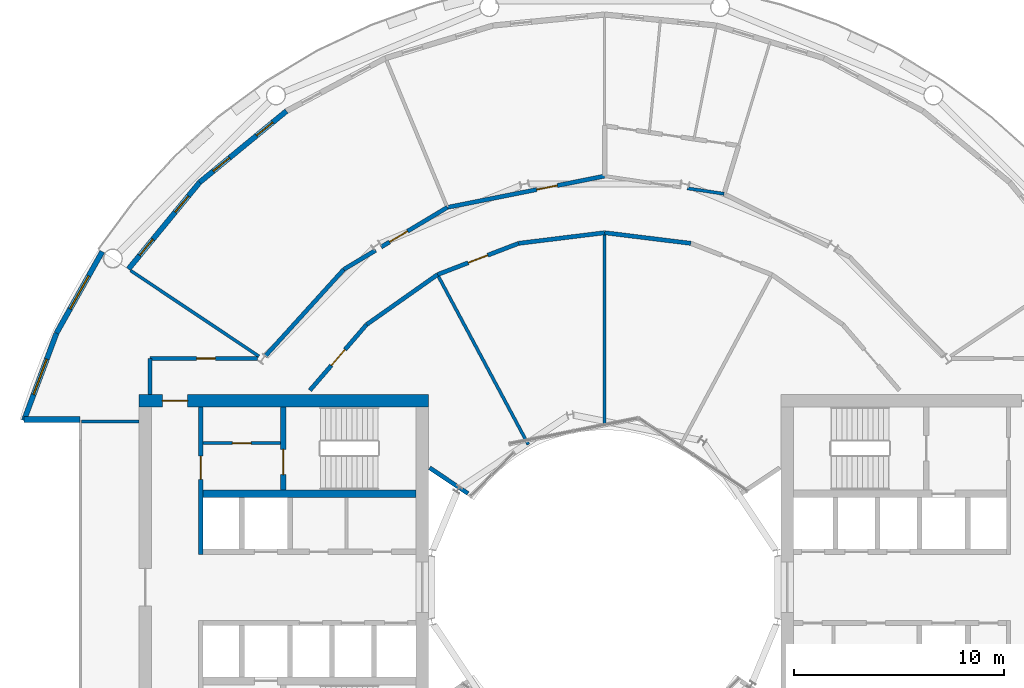
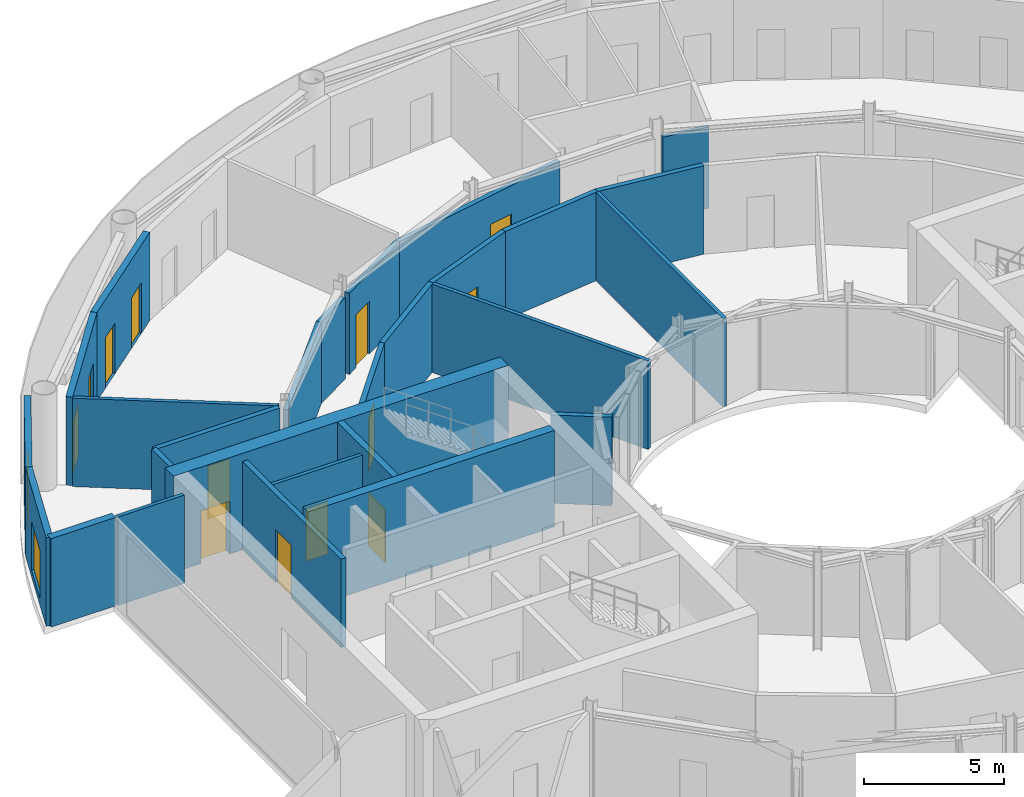
# One storey, part 16 of 21: 27 walls, 13 doors, 2 windows, 15 openings.
"""IFC4 building model written with IfcOpenShell, lengths in metres."""

from ifc_helpers import new_model, si_unit, direction, frame, frame_2d, origin, place, context, subcontext, project, spatial, rectangle, extrude, material, layer, layer_set, type_object, element, fill, save


model = new_model("IFC4")

# Units and contexts
model_context = context("Model", 3, precision=1e-05, world=origin(), true_north=direction((0.0, 1.0)))
body_context = subcontext(model_context, "Body", "Model", "MODEL_VIEW")
ifc_project = project(units=[si_unit("LENGTHUNIT", "METRE"), si_unit("AREAUNIT", "SQUARE_METRE"), si_unit("VOLUMEUNIT", "CUBIC_METRE"), si_unit("PLANEANGLEUNIT", "RADIAN"), si_unit("MASSUNIT", "GRAM", prefix="KILO")], contexts=[model_context])

# Site, building, storey
site_placement = place(None, origin())
site = spatial("IfcSite", under=ifc_project, at=site_placement, CompositionType="ELEMENT")
building_placement = place(site_placement, origin())
building = spatial("IfcBuilding", under=site, at=building_placement, Name="Maasbend Ring Residences", CompositionType="ELEMENT")
storey_placement = place(building_placement, frame((0.0, 0.0, 107.449951171875)))
storey = spatial("IfcBuildingStorey", under=building, at=storey_placement, Name="L30", CompositionType="ELEMENT", Elevation=107.449951171875)

# Wall, opening, door
ifc_material_1 = material(Name="Concrete C60/75", Category="concrete")
ifc_layer_1 = layer(ifc_material_1, 0.25)
ifc_layer_set_1 = layer_set([ifc_layer_1], Name="Concrete C60/75")
wall_type_1 = type_object("IfcWallType", Name="CORE WALL 250 C60/75", PredefinedType="SHEAR", material=ifc_layer_set_1)
wall_1_placement = place(storey_placement, frame((-15.324951171875, 8.60009765625, 0.0), z_axis=(0.0, 0.0, 1.0), x_axis=(0.0, -1.0, 0.0)))
wall_1 = element("IfcWall", 1, at=wall_1_placement, inside=storey, type_object=wall_type_1, Name="L30 core W wall STES", PredefinedType="SHEAR", context=body_context, shape_type="SweptSolid", body=[
    extrude(rectangle(XDim=3.9501953125, YDim=0.25, at=frame_2d((1.97509765625, 0.0))), origin(), (0.0, 0.0, 1.0), 4.199951171875),
])
opening_1_placement = place(wall_1_placement, frame((2.02490234375, 0.0, 0.0)))
opening_1 = element("IfcOpeningElement", 2, at=opening_1_placement, cuts=wall_1, Name="Opening D-W3010", PredefinedType="OPENING", context=body_context, shape_type="SweptSolid", body=[
    extrude(rectangle(XDim=1.199951171875, YDim=2.300048828125, at=frame_2d((0.60009765625, 1.14990234375))), frame((0.0, 0.135009765625, 0.0), z_axis=(0.0, -1.0, 0.0), x_axis=(1.0, 0.0, 0.0)), (0.0, 0.0, 1.0), 0.27001953125),
])
ifc_material_2 = material(Name="Steel, powder coated", Category="steel")
door_type_1 = type_object("IfcDoorType", Name="STAIR DOOR 1200 X 2300 FD60", OperationType="NOTDEFINED", PredefinedType="DOOR", material=ifc_material_2)
door_1_placement = place(opening_1_placement, origin())
door_1 = element("IfcDoor", 3, at=door_1_placement, inside=storey, type_object=door_type_1, Name="Stair door ST-W L30", OperationType="SINGLE_SWING_LEFT", OverallHeight=2.300048828125, OverallWidth=1.199951171875, PredefinedType="DOOR", context=body_context, shape_type="SweptSolid", body=[
    extrude(rectangle(XDim=1.199951171875, YDim=2.300048828125, at=frame_2d((0.60009765625, 1.14990234375))), frame((0.0, 0.02490234375, 0.0), z_axis=(0.0, -1.0, 0.0), x_axis=(1.0, 0.0, 0.0)), (0.0, 0.0, 1.0), 0.050048828125),
])
fill(opening_1, door_1)

# Wall
ifc_material_3 = material(Name="Concrete C60/75", Category="concrete")
ifc_layer_2 = layer(ifc_material_3, 0.375)
ifc_layer_set_2 = layer_set([ifc_layer_2], Name="Concrete C60/75")
wall_type_2 = type_object("IfcWallType", Name="CORE WALL 375 C60/75", PredefinedType="SHEAR", material=ifc_layer_set_2)
wall_2_placement = place(storey_placement, frame((-9.0, 4.46240234375, 0.0), z_axis=(0.0, 0.0, 1.0), x_axis=(-1.0, 0.0, 0.0)))
element("IfcWall", 4, at=wall_2_placement, inside=storey, type_object=wall_type_2, Name="L30 core W wall BS", PredefinedType="SHEAR", context=body_context, shape_type="SweptSolid", body=[
    extrude(rectangle(XDim=10.14990234375, YDim=0.375, at=frame_2d((5.074951171875, 0.0))), origin(), (0.0, 0.0, 1.0), 4.199951171875),
])

# Wall, opening, door
ifc_material_4 = material(Name="Concrete C60/75", Category="concrete")
ifc_layer_3 = layer(ifc_material_4, 0.60009765625)
ifc_layer_set_3 = layer_set([ifc_layer_3], Name="Concrete C60/75")
wall_type_3 = type_object("IfcWallType", Name="CORE WALL 600 C60/75", PredefinedType="SHEAR", material=ifc_layer_set_3)
wall_3_placement = place(storey_placement, frame((-8.39990234375, 8.89990234375, 0.0), z_axis=(0.0, 0.0, 1.0), x_axis=(-1.0, 0.0, 0.0)))
wall_3 = element("IfcWall", 5, at=wall_3_placement, inside=storey, type_object=wall_type_3, Name="L30 core W wall PS", PredefinedType="SHEAR", context=body_context, shape_type="SweptSolid", body=[
    extrude(rectangle(XDim=13.800048828125, YDim=0.60009765625, at=frame_2d((6.89990234375, 0.0))), origin(), (0.0, 0.0, 1.0), 4.199951171875),
])
opening_2_placement = place(wall_3_placement, frame((11.47509765625, 0.0, 0.0)))
opening_2 = element("IfcOpeningElement", 6, at=opening_2_placement, cuts=wall_3, Name="Opening D-W3014", PredefinedType="OPENING", context=body_context, shape_type="SweptSolid", body=[
    extrude(rectangle(XDim=1.199951171875, YDim=2.300048828125, at=frame_2d((0.60009765625, 1.14990234375))), frame((0.0, 0.31005859375, 0.0), z_axis=(0.0, -1.0, 0.0), x_axis=(1.0, 0.0, 0.0)), (0.0, 0.0, 1.0), 0.6201171875),
])
ifc_material_5 = material(Name="Steel, powder coated", Category="steel")
door_type_2 = type_object("IfcDoorType", Name="CORRIDOR DOOR 1200 X 2300 FD30S", OperationType="NOTDEFINED", PredefinedType="DOOR", material=ifc_material_5)
door_2_placement = place(opening_2_placement, origin())
door_2 = element("IfcDoor", 7, at=door_2_placement, inside=storey, type_object=door_type_2, Name="Corridor door L30", OperationType="SINGLE_SWING_LEFT", OverallHeight=2.300048828125, OverallWidth=1.199951171875, PredefinedType="DOOR", context=body_context, shape_type="SweptSolid", body=[
    extrude(rectangle(XDim=1.199951171875, YDim=2.300048828125, at=frame_2d((0.60009765625, 1.14990234375))), frame((0.0, 0.02490234375, 0.0), z_axis=(0.0, -1.0, 0.0), x_axis=(1.0, 0.0, 0.0)), (0.0, 0.0, 1.0), 0.050048828125),
])
fill(opening_2, door_2)

ifc_material_6 = material(Name="Concrete C30/37", Category="concrete")
ifc_layer_4 = layer(ifc_material_6, 0.199951171875)
ifc_layer_set_4 = layer_set([ifc_layer_4], Name="Concrete C30/37")
wall_type_4 = type_object("IfcWallType", Name="CORRIDOR WALL 200 CONCRETE", PredefinedType="PARTITIONING", material=ifc_layer_set_4)
wall_4_placement = place(storey_placement, frame((-21.675048828125, 10.89990234375, 0.0), z_axis=(0.0, 0.0, 1.0), x_axis=(0.999997173357, 0.002377662213, 0.0)))
wall_4 = element("IfcWall", 8, at=wall_4_placement, inside=storey, type_object=wall_type_4, Name="U-L30-w048", PredefinedType="PARTITIONING", context=body_context, shape_type="SweptSolid", body=[
    extrude(rectangle(XDim=5.134033203125, YDim=0.199951171875, at=frame_2d((2.56689453125, 0.0))), origin(), (0.0, 0.0, 1.0), 3.85009765625),
])
opening_3_placement = place(wall_4_placement, frame((2.220947265625, 0.0, 0.0)))
opening_3 = element("IfcOpeningElement", 9, at=opening_3_placement, cuts=wall_4, Name="Opening D-3024", PredefinedType="OPENING", context=body_context, shape_type="SweptSolid", body=[
    extrude(rectangle(XDim=0.89990234375, YDim=2.300048828125, at=frame_2d((0.449951171875, 1.14990234375))), frame((0.0, 0.10986328125, 0.0), z_axis=(0.0, -1.0, 0.0), x_axis=(1.0, 0.0, 0.0)), (0.0, 0.0, 1.0), 0.219970703125),
])
ifc_material_7 = material(Name="Steel, fire-rated, painted", Category="steel")
door_type_3 = type_object("IfcDoorType", Name="SERVICE DOOR 900 X 2300 FIRE-RATED", OperationType="NOTDEFINED", PredefinedType="DOOR", material=ifc_material_7)
door_3_placement = place(opening_3_placement, origin())
door_3 = element("IfcDoor", 10, at=door_3_placement, inside=storey, type_object=door_type_3, Name="D-3024", OperationType="SINGLE_SWING_RIGHT", OverallHeight=2.300048828125, OverallWidth=0.89990234375, PredefinedType="DOOR", context=body_context, shape_type="SweptSolid", body=[
    extrude(rectangle(XDim=0.89990234375, YDim=2.300048828125, at=frame_2d((0.449951171875, 1.14990234375))), frame((0.0, 0.02490234375, 0.0), z_axis=(0.0, -1.0, 0.0), x_axis=(1.0, 0.0, 0.0)), (0.0, 0.0, 1.0), 0.050048828125),
])
fill(opening_3, door_3)

wall_5_placement = place(storey_placement, frame((-14.052001953125, 9.388916015625, 0.0), z_axis=(0.0, 0.0, 1.0), x_axis=(0.653212695939, 0.757174467256, 0.0)))
wall_5 = element("IfcWall", 11, at=wall_5_placement, inside=storey, type_object=wall_type_4, Name="U-L30-w050", PredefinedType="PARTITIONING", context=body_context, shape_type="SweptSolid", body=[
    extrude(rectangle(XDim=4.137939453125, YDim=0.199951171875, at=frame_2d((2.06884765625, 0.0))), origin(), (0.0, 0.0, 1.0), 3.85009765625),
])
opening_4_placement = place(wall_5_placement, frame((1.569091796875, 0.0, 0.0)))
opening_4 = element("IfcOpeningElement", 12, at=opening_4_placement, cuts=wall_5, Name="Opening D-3015", PredefinedType="OPENING", context=body_context, shape_type="SweptSolid", body=[
    extrude(rectangle(XDim=1.0, YDim=2.300048828125, at=frame_2d((0.5, 1.14990234375))), frame((0.0, 0.10986328125, 0.0), z_axis=(0.0, -1.0, 0.0), x_axis=(1.0, 0.0, 0.0)), (0.0, 0.0, 1.0), 0.219970703125),
])
ifc_material_8 = material(Name="Timber, painted", Category="wood")
door_type_4 = type_object("IfcDoorType", Name="ROOM DOOR 1000 X 2300", OperationType="NOTDEFINED", PredefinedType="DOOR", material=ifc_material_8)
door_4_placement = place(opening_4_placement, origin())
door_4 = element("IfcDoor", 13, at=door_4_placement, inside=storey, type_object=door_type_4, Name="D-3015", OperationType="SINGLE_SWING_RIGHT", OverallHeight=2.300048828125, OverallWidth=1.0, PredefinedType="DOOR", context=body_context, shape_type="SweptSolid", body=[
    extrude(rectangle(XDim=1.0, YDim=2.300048828125, at=frame_2d((0.5, 1.14990234375))), frame((0.0, 0.02490234375, 0.0), z_axis=(0.0, -1.0, 0.0), x_axis=(1.0, 0.0, 0.0)), (0.0, 0.0, 1.0), 0.050048828125),
])
fill(opening_4, door_4)

# Wall
wall_6_placement = place(storey_placement, frame((-11.34912109375, 12.52197265625, 0.0), z_axis=(0.0, 0.0, 1.0), x_axis=(0.817567680547, 0.575832517079, 0.0)))
element("IfcWall", 14, at=wall_6_placement, inside=storey, type_object=wall_type_4, Name="U-L30-w051", PredefinedType="PARTITIONING", context=body_context, shape_type="SweptSolid", body=[
    extrude(rectangle(XDim=4.13671875, YDim=0.199951171875, at=frame_2d((2.068359375, 0.0))), origin(), (0.0, 0.0, 1.0), 3.85009765625),
])

# Wall, opening, door
wall_7_placement = place(storey_placement, frame((-7.967041015625, 14.904052734375, 0.0), z_axis=(0.0, 0.0, 1.0), x_axis=(0.932943640288, 0.360022449363, 0.0)))
wall_7 = element("IfcWall", 15, at=wall_7_placement, inside=storey, type_object=wall_type_4, Name="U-L30-w052", PredefinedType="PARTITIONING", context=body_context, shape_type="SweptSolid", body=[
    extrude(rectangle(XDim=4.138671875, YDim=0.199951171875, at=frame_2d((2.0693359375, 0.0))), origin(), (0.0, 0.0, 1.0), 3.85009765625),
])
opening_5_placement = place(wall_7_placement, frame((1.569091796875, 0.0, 0.0)))
opening_5 = element("IfcOpeningElement", 16, at=opening_5_placement, cuts=wall_7, Name="Opening D-3014", PredefinedType="OPENING", context=body_context, shape_type="SweptSolid", body=[
    extrude(rectangle(XDim=1.0, YDim=2.300048828125, at=frame_2d((0.5, 1.14990234375))), frame((0.0, 0.10986328125, 0.0), z_axis=(0.0, -1.0, 0.0), x_axis=(1.0, 0.0, 0.0)), (0.0, 0.0, 1.0), 0.219970703125),
])
door_5_placement = place(opening_5_placement, origin())
door_5 = element("IfcDoor", 17, at=door_5_placement, inside=storey, type_object=door_type_4, Name="D-3014", OperationType="SINGLE_SWING_RIGHT", OverallHeight=2.300048828125, OverallWidth=1.0, PredefinedType="DOOR", context=body_context, shape_type="SweptSolid", body=[
    extrude(rectangle(XDim=1.0, YDim=2.300048828125, at=frame_2d((0.5, 1.14990234375))), frame((0.0, 0.02490234375, 0.0), z_axis=(0.0, -1.0, 0.0), x_axis=(1.0, 0.0, 0.0)), (0.0, 0.0, 1.0), 0.050048828125),
])
fill(opening_5, door_5)

# Walls
for number, where, z_axis, x_axis, name in (
    (18, (-4.10595703125, 16.39404296875, 0.0), (0.0, 0.0, 1.0), (0.992496033272, 0.122276833211, 0.0), "U-L30-w053"),
    (19, (0.0, 16.89990234375, 0.0), (0.0, 0.0, 1.0), (0.992496033272, -0.122276833211, 0.0), "U-L30-w054"),
):
    element("IfcWall", number, at=place(storey_placement, frame(where, z_axis=z_axis, x_axis=x_axis)), inside=storey, type_object=wall_type_4, Name=name, PredefinedType="PARTITIONING", context=body_context, shape_type="SweptSolid", body=[
        extrude(rectangle(XDim=4.136962890625, YDim=0.199951171875, at=frame_2d((2.068359375, 0.0))), origin(), (0.0, 0.0, 1.0), 3.85009765625),
    ])

# Wall, opening, door
wall_8_placement = place(storey_placement, frame((-7.5009765625, 18.10791015625, 0.0), z_axis=(0.0, 0.0, 1.0), x_axis=(0.980781515054, 0.195109250749, 0.0)))
wall_8 = element("IfcWall", 20, at=wall_8_placement, inside=storey, type_object=wall_type_4, Name="U-L30-w058", PredefinedType="PARTITIONING", context=body_context, shape_type="SweptSolid", body=[
    extrude(rectangle(XDim=7.64794921875, YDim=0.199951171875, at=frame_2d((3.823974609375, 0.0))), origin(), (0.0, 0.0, 1.0), 3.5400390625),
])
opening_6_placement = place(wall_8_placement, frame((4.35009765625, 0.0, 0.0)))
opening_6 = element("IfcOpeningElement", 21, at=opening_6_placement, cuts=wall_8, Name="Opening D-3010", PredefinedType="OPENING", context=body_context, shape_type="SweptSolid", body=[
    extrude(rectangle(XDim=1.0, YDim=2.300048828125, at=frame_2d((0.5, 1.14990234375))), frame((0.0, 0.10986328125, 0.0), z_axis=(0.0, -1.0, 0.0), x_axis=(1.0, 0.0, 0.0)), (0.0, 0.0, 1.0), 0.219970703125),
])
door_6_placement = place(opening_6_placement, origin())
door_6 = element("IfcDoor", 22, at=door_6_placement, inside=storey, type_object=door_type_4, Name="D-3010", OperationType="SINGLE_SWING_RIGHT", OverallHeight=2.300048828125, OverallWidth=1.0, PredefinedType="DOOR", context=body_context, shape_type="SweptSolid", body=[
    extrude(rectangle(XDim=1.0, YDim=2.300048828125, at=frame_2d((0.5, 1.14990234375))), frame((0.0, 0.02490234375, 0.0), z_axis=(0.0, -1.0, 0.0), x_axis=(1.0, 0.0, 0.0)), (0.0, 0.0, 1.0), 0.050048828125),
])
fill(opening_6, door_6)

# Walls
wall_9_placement = place(storey_placement, frame((-16.19189453125, 11.00390625, 0.0), z_axis=(0.0, 0.0, 1.0), x_axis=(0.671481997275, 0.741020868354, 0.0)))
element("IfcWall", 23, at=wall_9_placement, inside=storey, type_object=wall_type_4, Name="U-L30-w062", PredefinedType="PARTITIONING", context=body_context, shape_type="SweptSolid", body=[
    extrude(rectangle(XDim=5.59619140625, YDim=0.199951171875, at=frame_2d((2.798095703125, 0.0))), origin(), (0.0, 0.0, 1.0), 3.5400390625),
])
wall_10_placement = place(storey_placement, frame((-12.43408203125, 15.15087890625, 0.0), z_axis=(0.0, 0.0, 1.0), x_axis=(0.857663265693, 0.514211748875, 0.0)))
element("IfcWall", 24, at=wall_10_placement, inside=storey, type_object=wall_type_4, Name="U-L30-w063", PredefinedType="PARTITIONING", context=body_context, shape_type="SweptSolid", body=[
    extrude(rectangle(XDim=1.77001953125, YDim=0.199951171875, at=frame_2d((0.885009765625, 0.0))), origin(), (0.0, 0.0, 1.0), 3.5400390625),
])

# Wall, opening, door
wall_11_placement = place(storey_placement, frame((-10.653076171875, 16.218994140625, 0.0), z_axis=(0.0, 0.0, 1.0), x_axis=(0.857774179698, 0.514026708103, 0.0)))
wall_11 = element("IfcWall", 25, at=wall_11_placement, inside=storey, type_object=wall_type_4, Name="U-L30-w064", PredefinedType="PARTITIONING", context=body_context, shape_type="SweptSolid", body=[
    extrude(rectangle(XDim=3.6748046875, YDim=0.199951171875, at=frame_2d((1.83740234375, 0.0))), origin(), (0.0, 0.0, 1.0), 3.5400390625),
])
opening_7_placement = place(wall_11_placement, frame((0.472900390625, 0.0, 0.0)))
opening_7 = element("IfcOpeningElement", 26, at=opening_7_placement, cuts=wall_11, Name="Opening D-3011", PredefinedType="OPENING", context=body_context, shape_type="SweptSolid", body=[
    extrude(rectangle(XDim=1.0, YDim=2.300048828125, at=frame_2d((0.5, 1.14990234375))), frame((0.0, 0.10986328125, 0.0), z_axis=(0.0, -1.0, 0.0), x_axis=(1.0, 0.0, 0.0)), (0.0, 0.0, 1.0), 0.219970703125),
])
door_7_placement = place(opening_7_placement, origin())
door_7 = element("IfcDoor", 27, at=door_7_placement, inside=storey, type_object=door_type_4, Name="D-3011", OperationType="SINGLE_SWING_LEFT", OverallHeight=2.300048828125, OverallWidth=1.0, PredefinedType="DOOR", context=body_context, shape_type="SweptSolid", body=[
    extrude(rectangle(XDim=1.0, YDim=2.300048828125, at=frame_2d((0.5, 1.14990234375))), frame((0.0, 0.02490234375, 0.0), z_axis=(0.0, -1.0, 0.0), x_axis=(1.0, 0.0, 0.0)), (0.0, 0.0, 1.0), 0.050048828125),
])
fill(opening_7, door_7)

# Wall
wall_12_placement = place(storey_placement, frame((-21.675048828125, 9.199951171875, 0.0), z_axis=(0.0, 0.0, 1.0), x_axis=(0.0, 1.0, 0.0)))
element("IfcWall", 28, at=wall_12_placement, inside=storey, type_object=wall_type_4, Name="U-L30-w068", PredefinedType="PARTITIONING", context=body_context, shape_type="SweptSolid", body=[
    extrude(rectangle(XDim=1.699951171875, YDim=0.199951171875, at=frame_2d((0.85009765625, 0.0))), origin(), (0.0, 0.0, 1.0), 3.85009765625),
])

# Wall, openings, doors
ifc_material_9 = material(Name="Aluminium clad insulated panel", Category="aluminium")
ifc_layer_5 = layer(ifc_material_9, 0.25)
ifc_layer_set_5 = layer_set([ifc_layer_5], Name="EW-GL")
wall_type_5 = type_object("IfcWallType", Name="EW-GL", PredefinedType="SOLIDWALL", material=ifc_layer_set_5)
wall_13_placement = place(storey_placement, frame((-15.1669921875, 22.698974609375, 0.0), z_axis=(0.0, 0.0, 1.0), x_axis=(-0.773019449054, -0.634382322723, 0.0)))
wall_13 = element("IfcWall", 29, at=wall_13_placement, inside=storey, type_object=wall_type_5, Name="External wall N09", PredefinedType="SOLIDWALL", context=body_context, shape_type="SweptSolid", body=[
    extrude(rectangle(XDim=5.351806640625, YDim=0.25, at=frame_2d((2.67578125, 0.0))), origin(), (0.0, 0.0, 1.0), 3.85009765625),
])
opening_8_placement = place(wall_13_placement, frame((0.841064453125, 0.0, 0.0)))
opening_8 = element("IfcOpeningElement", 30, at=opening_8_placement, cuts=wall_13, Name="Opening D-LG", PredefinedType="OPENING", context=body_context, shape_type="SweptSolid", body=[
    extrude(rectangle(XDim=1.0, YDim=2.199951171875, at=frame_2d((0.5, 1.10009765625))), frame((0.0, 0.135009765625, 0.0), z_axis=(0.0, -1.0, 0.0), x_axis=(1.0, 0.0, 0.0)), (0.0, 0.0, 1.0), 0.27001953125),
])
opening_9_placement = place(wall_13_placement, frame((3.510498046875, 0.0, 0.0)))
opening_9 = element("IfcOpeningElement", 31, at=opening_9_placement, cuts=wall_13, Name="Opening D-LG", PredefinedType="OPENING", context=body_context, shape_type="SweptSolid", body=[
    extrude(rectangle(XDim=1.0, YDim=2.199951171875, at=frame_2d((0.5, 1.10009765625))), frame((0.0, 0.135009765625, 0.0), z_axis=(0.0, -1.0, 0.0), x_axis=(1.0, 0.0, 0.0)), (0.0, 0.0, 1.0), 0.27001953125),
])
ifc_material_10 = material(Name="Aluminium and clear glass", Category="aluminium")
door_type_5 = type_object("IfcDoorType", Name="D-LG", OperationType="SINGLE_SWING_LEFT", PredefinedType="DOOR", material=ifc_material_10)
door_8_placement = place(opening_8_placement, origin())
door_8 = element("IfcDoor", 32, at=door_8_placement, inside=storey, type_object=door_type_5, Name="Loggia door N17", OperationType="SINGLE_SWING_LEFT", OverallHeight=2.199951171875, OverallWidth=1.0, PredefinedType="DOOR", context=body_context, shape_type="SweptSolid", body=[
    extrude(rectangle(XDim=1.0, YDim=2.199951171875, at=frame_2d((0.5, 1.10009765625))), frame((0.0, 0.02490234375, 0.0), z_axis=(0.0, -1.0, 0.0), x_axis=(1.0, 0.0, 0.0)), (0.0, 0.0, 1.0), 0.050048828125),
])
fill(opening_8, door_8)
door_9_placement = place(opening_9_placement, origin())
door_9 = element("IfcDoor", 33, at=door_9_placement, inside=storey, type_object=door_type_5, Name="Loggia door N18", OperationType="SINGLE_SWING_LEFT", OverallHeight=2.199951171875, OverallWidth=1.0, PredefinedType="DOOR", context=body_context, shape_type="SweptSolid", body=[
    extrude(rectangle(XDim=1.0, YDim=2.199951171875, at=frame_2d((0.5, 1.10009765625))), frame((0.0, 0.02490234375, 0.0), z_axis=(0.0, -1.0, 0.0), x_axis=(1.0, 0.0, 0.0)), (0.0, 0.0, 1.0), 0.050048828125),
])
fill(opening_9, door_9)

wall_14_placement = place(storey_placement, frame((-19.303955078125, 19.303955078125, 0.0), z_axis=(0.0, 0.0, 1.0), x_axis=(-0.634382322723, -0.773019449054, 0.0)))
wall_14 = element("IfcWall", 34, at=wall_14_placement, inside=storey, type_object=wall_type_5, Name="External wall N10", PredefinedType="SOLIDWALL", context=body_context, shape_type="SweptSolid", body=[
    extrude(rectangle(XDim=5.351806640625, YDim=0.25, at=frame_2d((2.67578125, 0.0))), origin(), (0.0, 0.0, 1.0), 3.85009765625),
])
opening_10_placement = place(wall_14_placement, frame((0.841064453125, 0.0, 0.0)))
opening_10 = element("IfcOpeningElement", 35, at=opening_10_placement, cuts=wall_14, Name="Opening D-LG", PredefinedType="OPENING", context=body_context, shape_type="SweptSolid", body=[
    extrude(rectangle(XDim=1.0, YDim=2.199951171875, at=frame_2d((0.5, 1.10009765625))), frame((0.0, 0.135009765625, 0.0), z_axis=(0.0, -1.0, 0.0), x_axis=(1.0, 0.0, 0.0)), (0.0, 0.0, 1.0), 0.27001953125),
])
opening_11_placement = place(wall_14_placement, frame((3.510498046875, 0.0, 0.0)))
opening_11 = element("IfcOpeningElement", 36, at=opening_11_placement, cuts=wall_14, Name="Opening D-LG", PredefinedType="OPENING", context=body_context, shape_type="SweptSolid", body=[
    extrude(rectangle(XDim=1.0, YDim=2.199951171875, at=frame_2d((0.5, 1.10009765625))), frame((0.0, 0.135009765625, 0.0), z_axis=(0.0, -1.0, 0.0), x_axis=(1.0, 0.0, 0.0)), (0.0, 0.0, 1.0), 0.27001953125),
])
door_10_placement = place(opening_10_placement, origin())
door_10 = element("IfcDoor", 37, at=door_10_placement, inside=storey, type_object=door_type_5, Name="Loggia door N19", OperationType="SINGLE_SWING_LEFT", OverallHeight=2.199951171875, OverallWidth=1.0, PredefinedType="DOOR", context=body_context, shape_type="SweptSolid", body=[
    extrude(rectangle(XDim=1.0, YDim=2.199951171875, at=frame_2d((0.5, 1.10009765625))), frame((0.0, 0.02490234375, 0.0), z_axis=(0.0, -1.0, 0.0), x_axis=(1.0, 0.0, 0.0)), (0.0, 0.0, 1.0), 0.050048828125),
])
fill(opening_10, door_10)
door_11_placement = place(opening_11_placement, origin())
door_11 = element("IfcDoor", 38, at=door_11_placement, inside=storey, type_object=door_type_5, Name="Loggia door N20", OperationType="SINGLE_SWING_LEFT", OverallHeight=2.199951171875, OverallWidth=1.0, PredefinedType="DOOR", context=body_context, shape_type="SweptSolid", body=[
    extrude(rectangle(XDim=1.0, YDim=2.199951171875, at=frame_2d((0.5, 1.10009765625))), frame((0.0, 0.02490234375, 0.0), z_axis=(0.0, -1.0, 0.0), x_axis=(1.0, 0.0, 0.0)), (0.0, 0.0, 1.0), 0.050048828125),
])
fill(opening_11, door_11)

# Wall, opening, window
ifc_material_11 = material(Name="Aluminium clad insulated panel", Category="aluminium")
ifc_layer_6 = layer(ifc_material_11, 0.25)
ifc_layer_set_6 = layer_set([ifc_layer_6], Name="EW-HORN")
wall_type_6 = type_object("IfcWallType", Name="EW-HORN", PredefinedType="SOLIDWALL", material=ifc_layer_set_6)
wall_15_placement = place(storey_placement, frame((-23.946044921875, 16.0, 0.0), z_axis=(0.0, 0.0, 1.0), x_axis=(-0.489696356642, -0.871893042919, 0.0)))
wall_15 = element("IfcWall", 39, at=wall_15_placement, inside=storey, type_object=wall_type_6, Name="Horn wall 4.1", PredefinedType="SOLIDWALL", context=body_context, shape_type="SweptSolid", body=[
    extrude(rectangle(XDim=4.45361328125, YDim=0.25, at=frame_2d((2.226806640625, 0.0))), origin(), (0.0, 0.0, 1.0), 3.85009765625),
])
opening_12_placement = place(wall_15_placement, frame((1.32666015625, 0.0, 0.300048828125)))
opening_12 = element("IfcOpeningElement", 40, at=opening_12_placement, cuts=wall_15, Name="Opening W-BX", PredefinedType="OPENING", context=body_context, shape_type="SweptSolid", body=[
    extrude(rectangle(XDim=1.800048828125, YDim=2.10009765625, at=frame_2d((0.89990234375, 1.050048828125))), frame((0.0, 0.135009765625, 0.0), z_axis=(0.0, -1.0, 0.0), x_axis=(1.0, 0.0, 0.0)), (0.0, 0.0, 1.0), 0.27001953125),
])
ifc_material_12 = material(Name="Aluminium and clear glass", Category="aluminium")
window_type = type_object("IfcWindowType", Name="W-BX", PartitioningType="DOUBLE_PANEL_VERTICAL", PredefinedType="WINDOW", material=ifc_material_12)
window_1_placement = place(opening_12_placement, origin())
window_1 = element("IfcWindow", 41, at=window_1_placement, inside=storey, type_object=window_type, Name="Horn window 4.1", OverallHeight=2.10009765625, OverallWidth=1.800048828125, PartitioningType="SINGLE_PANEL", PredefinedType="WINDOW", context=body_context, shape_type="SweptSolid", body=[
    extrude(rectangle(XDim=1.800048828125, YDim=2.10009765625, at=frame_2d((0.89990234375, 1.050048828125))), frame((0.0, 0.030029296875, 0.0), z_axis=(0.0, -1.0, 0.0), x_axis=(1.0, 0.0, 0.0)), (0.0, 0.0, 1.0), 0.06005859375),
])
fill(opening_12, window_1)

wall_16_placement = place(storey_placement, frame((-26.126953125, 12.116943359375, 0.0), z_axis=(0.0, 0.0, 1.0), x_axis=(-0.349247811493, -0.937030397675, 0.0)))
wall_16 = element("IfcWall", 42, at=wall_16_placement, inside=storey, type_object=wall_type_6, Name="Horn wall 4.2", PredefinedType="SOLIDWALL", context=body_context, shape_type="SweptSolid", body=[
    extrude(rectangle(XDim=4.4521484375, YDim=0.25, at=frame_2d((2.22607421875, 0.0))), origin(), (0.0, 0.0, 1.0), 3.85009765625),
])
opening_13_placement = place(wall_16_placement, frame((1.32666015625, 0.0, 0.300048828125)))
opening_13 = element("IfcOpeningElement", 43, at=opening_13_placement, cuts=wall_16, Name="Opening W-BX", PredefinedType="OPENING", context=body_context, shape_type="SweptSolid", body=[
    extrude(rectangle(XDim=1.800048828125, YDim=2.10009765625, at=frame_2d((0.89990234375, 1.050048828125))), frame((0.0, 0.135009765625, 0.0), z_axis=(0.0, -1.0, 0.0), x_axis=(1.0, 0.0, 0.0)), (0.0, 0.0, 1.0), 0.27001953125),
])
window_2_placement = place(opening_13_placement, origin())
window_2 = element("IfcWindow", 44, at=window_2_placement, inside=storey, type_object=window_type, Name="Horn window 4.2", OverallHeight=2.10009765625, OverallWidth=1.800048828125, PartitioningType="SINGLE_PANEL", PredefinedType="WINDOW", context=body_context, shape_type="SweptSolid", body=[
    extrude(rectangle(XDim=1.800048828125, YDim=2.10009765625, at=frame_2d((0.89990234375, 1.050048828125))), frame((0.0, 0.030029296875, 0.0), z_axis=(0.0, -1.0, 0.0), x_axis=(1.0, 0.0, 0.0)), (0.0, 0.0, 1.0), 0.06005859375),
])
fill(opening_13, window_2)

# Wall
ifc_material_13 = material(Name="Aluminium clad insulated panel", Category="aluminium")
ifc_layer_7 = layer(ifc_material_13, 0.300048828125)
ifc_layer_set_7 = layer_set([ifc_layer_7], Name="EW-RET")
wall_type_7 = type_object("IfcWallType", Name="EW-RET", PredefinedType="SOLIDWALL", material=ifc_layer_set_7)
wall_17_placement = place(storey_placement, frame((-25.0, 8.0, 0.0), z_axis=(0.0, 0.0, 1.0), x_axis=(-1.0, 0.0, 0.0)))
element("IfcWall", 45, at=wall_17_placement, inside=storey, type_object=wall_type_7, Name="Notch return wall west north", PredefinedType="SOLIDWALL", context=body_context, shape_type="SweptSolid", body=[
    extrude(rectangle(XDim=2.6669921875, YDim=0.300048828125, at=frame_2d((1.33349609375, 0.0))), origin(), (0.0, 0.0, 1.0), 3.85009765625),
])

# Wall, opening, door
ifc_material_14 = material(Name="Gypsum board on steel studs", Category="steel")
ifc_layer_8 = layer(ifc_material_14, 0.14990234375)
ifc_layer_set_8 = layer_set([ifc_layer_8], Name="PARTITION 150 EI 60")
wall_type_8 = type_object("IfcWallType", Name="PARTITION 150 EI 60", PredefinedType="PARTITIONING", material=ifc_layer_set_8)
wall_18_placement = place(storey_placement, frame((-15.449951171875, 6.875, 0.0), z_axis=(0.0, 0.0, 1.0), x_axis=(-1.0, 0.0, 0.0)))
wall_18 = element("IfcWall", 46, at=wall_18_placement, inside=storey, type_object=wall_type_8, Name="L30 core W wall RHS", PredefinedType="PARTITIONING", context=body_context, shape_type="SweptSolid", body=[
    extrude(rectangle(XDim=3.699951171875, YDim=0.14990234375, at=frame_2d((1.85009765625, 0.0))), origin(), (0.0, 0.0, 1.0), 3.85009765625),
])
opening_14_placement = place(wall_18_placement, frame((1.39990234375, 0.0, 0.0)))
opening_14 = element("IfcOpeningElement", 47, at=opening_14_placement, cuts=wall_18, Name="Opening D-W3008", PredefinedType="OPENING", context=body_context, shape_type="SweptSolid", body=[
    extrude(rectangle(XDim=0.89990234375, YDim=2.300048828125, at=frame_2d((0.449951171875, 1.14990234375))), frame((0.0, 0.0849609375, 0.0), z_axis=(0.0, -1.0, 0.0), x_axis=(1.0, 0.0, 0.0)), (0.0, 0.0, 1.0), 0.169921875),
])
ifc_material_15 = material(Name="Steel, powder coated", Category="steel")
door_type_6 = type_object("IfcDoorType", Name="RISER DOOR 900 X 2300 FD60", OperationType="NOTDEFINED", PredefinedType="DOOR", material=ifc_material_15)
door_12_placement = place(opening_14_placement, origin())
door_12 = element("IfcDoor", 48, at=door_12_placement, inside=storey, type_object=door_type_6, Name="Riser door L30", OperationType="SINGLE_SWING_LEFT", OverallHeight=2.300048828125, OverallWidth=0.89990234375, PredefinedType="DOOR", context=body_context, shape_type="SweptSolid", body=[
    extrude(rectangle(XDim=0.89990234375, YDim=2.300048828125, at=frame_2d((0.449951171875, 1.14990234375))), frame((0.0, 0.02490234375, 0.0), z_axis=(0.0, -1.0, 0.0), x_axis=(1.0, 0.0, 0.0)), (0.0, 0.0, 1.0), 0.050048828125),
])
fill(opening_14, door_12)

# Walls
wall_19_placement = place(storey_placement, frame((-22.199951171875, 7.89990234375, 0.0), z_axis=(0.0, 0.0, 1.0), x_axis=(-1.0, 0.0, 0.0)))
element("IfcWall", 49, at=wall_19_placement, inside=storey, type_object=wall_type_8, Name="L30 core W wall CITS", PredefinedType="PARTITIONING", context=body_context, shape_type="SweptSolid", body=[
    extrude(rectangle(XDim=2.739990234375, YDim=0.14990234375, at=frame_2d((1.3701171875, 0.0))), origin(), (0.0, 0.0, 1.0), 3.85009765625),
])
ifc_material_16 = material(Name="Gypsum board on steel studs", Category="steel")
ifc_layer_9 = layer(ifc_material_16, 0.14990234375)
ifc_layer_set_9 = layer_set([ifc_layer_9], Name="PARTITION 150 GYPSUM")
wall_type_9 = type_object("IfcWallType", Name="PARTITION 150 GYPSUM", PredefinedType="PARTITIONING", material=ifc_layer_set_9)
wall_20_placement = place(storey_placement, frame((-22.594970703125, 15.097900390625, 0.0), z_axis=(0.0, 0.0, 1.0), x_axis=(0.831406593008, -0.555664536482, 0.0)))
element("IfcWall", 50, at=wall_20_placement, inside=storey, type_object=wall_type_9, Name="U-L30-w022", PredefinedType="PARTITIONING", context=body_context, shape_type="SweptSolid", body=[
    extrude(rectangle(XDim=7.3583984375, YDim=0.14990234375, at=frame_2d((3.67919921875, 0.0))), origin(), (0.0, 0.0, 1.0), 3.85009765625),
])
wall_21_placement = place(storey_placement, frame((-7.968994140625, 14.903076171875, 0.0), z_axis=(0.0, 0.0, 1.0), x_axis=(0.471428625665, -0.881904218667, 0.0)))
element("IfcWall", 51, at=wall_21_placement, inside=storey, type_object=wall_type_9, Name="U-L30-w029", PredefinedType="PARTITIONING", context=body_context, shape_type="SweptSolid", body=[
    extrude(rectangle(XDim=9.180419921875, YDim=0.14990234375, at=frame_2d((4.59033203125, 0.0))), origin(), (0.0, 0.0, 1.0), 3.85009765625),
])
wall_22_placement = place(storey_placement, frame((0.0, 7.719970703125, 0.0), z_axis=(0.0, 0.0, 1.0), x_axis=(0.0, 1.0, 0.0)))
element("IfcWall", 52, at=wall_22_placement, inside=storey, type_object=wall_type_9, Name="U-L30-w034", PredefinedType="PARTITIONING", context=body_context, shape_type="SweptSolid", body=[
    extrude(rectangle(XDim=9.179931640625, YDim=0.14990234375, at=frame_2d((4.58984375, 0.0))), origin(), (0.0, 0.0, 1.0), 3.85009765625),
])
wall_23_placement = place(storey_placement, frame((3.93896484375, 19.01611328125, 0.0), z_axis=(0.0, 0.0, 1.0), x_axis=(0.989153791914, -0.146883545509, 0.0)))
element("IfcWall", 53, at=wall_23_placement, inside=storey, type_object=wall_type_9, Name="U-L30-w066", PredefinedType="PARTITIONING", context=body_context, shape_type="SweptSolid", body=[
    extrude(rectangle(XDim=1.770263671875, YDim=0.14990234375, at=frame_2d((0.88525390625, 0.0))), origin(), (0.0, 0.0, 1.0), 3.5400390625),
])
ifc_material_17 = material(Name="Concrete C30/37", Category="concrete")
ifc_layer_10 = layer(ifc_material_17, 0.199951171875)
ifc_layer_set_10 = layer_set([ifc_layer_10], Name="Concrete C30/37")
wall_type_10 = type_object("IfcWallType", Name="PARTY WALL 200 CONCRETE", PredefinedType="PARTITIONING", material=ifc_layer_set_10)
wall_24_placement = place(storey_placement, frame((-6.512939453125, 4.471923828125, 0.0), z_axis=(0.0, 0.0, 1.0), x_axis=(-0.831333375071, 0.555774072347, 0.0)))
element("IfcWall", 54, at=wall_24_placement, inside=storey, type_object=wall_type_10, Name="U-L30-w046", PredefinedType="PARTITIONING", context=body_context, shape_type="SweptSolid", body=[
    extrude(rectangle(XDim=2.20263671875, YDim=0.199951171875, at=frame_2d((1.101318359375, 0.0))), origin(), (0.0, 0.0, 1.0), 3.85009765625),
])

# Wall, opening, door
ifc_material_18 = material(Name="Concrete C30/37", Category="concrete")
ifc_layer_11 = layer(ifc_material_18, 0.199951171875)
ifc_layer_set_11 = layer_set([ifc_layer_11], Name="Concrete C30/37")
wall_type_11 = type_object("IfcWallType", Name="SHAFT WALL 200 EI 120", PredefinedType="SOLIDWALL", material=ifc_layer_set_11)
wall_25_placement = place(storey_placement, frame((-19.25, 8.60009765625, 0.0), z_axis=(0.0, 0.0, 1.0), x_axis=(0.0, -1.0, 0.0)))
wall_25 = element("IfcWall", 55, at=wall_25_placement, inside=storey, type_object=wall_type_11, Name="L30 core W wall ENDS", PredefinedType="SOLIDWALL", context=body_context, shape_type="SweptSolid", body=[
    extrude(rectangle(XDim=7.025146484375, YDim=0.199951171875, at=frame_2d((3.5126953125, 0.0))), origin(), (0.0, 0.0, 1.0), 3.85009765625),
])
opening_15_placement = place(wall_25_placement, frame((2.35009765625, 0.0, 0.0)))
opening_15 = element("IfcOpeningElement", 56, at=opening_15_placement, cuts=wall_25, Name="Opening D-W3012", PredefinedType="OPENING", context=body_context, shape_type="SweptSolid", body=[
    extrude(rectangle(XDim=1.10009765625, YDim=2.300048828125, at=frame_2d((0.550048828125, 1.14990234375))), frame((0.0, 0.10986328125, 0.0), z_axis=(0.0, -1.0, 0.0), x_axis=(1.0, 0.0, 0.0)), (0.0, 0.0, 1.0), 0.219970703125),
])
ifc_material_19 = material(Name="Steel, powder coated", Category="steel")
door_type_7 = type_object("IfcDoorType", Name="LOBBY DOOR 1100 X 2300 FD60", OperationType="NOTDEFINED", PredefinedType="DOOR", material=ifc_material_19)
door_13_placement = place(opening_15_placement, origin())
door_13 = element("IfcDoor", 57, at=door_13_placement, inside=storey, type_object=door_type_7, Name="Lobby door L30", OperationType="SINGLE_SWING_RIGHT", OverallHeight=2.300048828125, OverallWidth=1.10009765625, PredefinedType="DOOR", context=body_context, shape_type="SweptSolid", body=[
    extrude(rectangle(XDim=1.10009765625, YDim=2.300048828125, at=frame_2d((0.550048828125, 1.14990234375))), frame((0.0, 0.02490234375, 0.0), z_axis=(0.0, -1.0, 0.0), x_axis=(1.0, 0.0, 0.0)), (0.0, 0.0, 1.0), 0.050048828125),
])
fill(opening_15, door_13)

save(model, "model.ifc")
